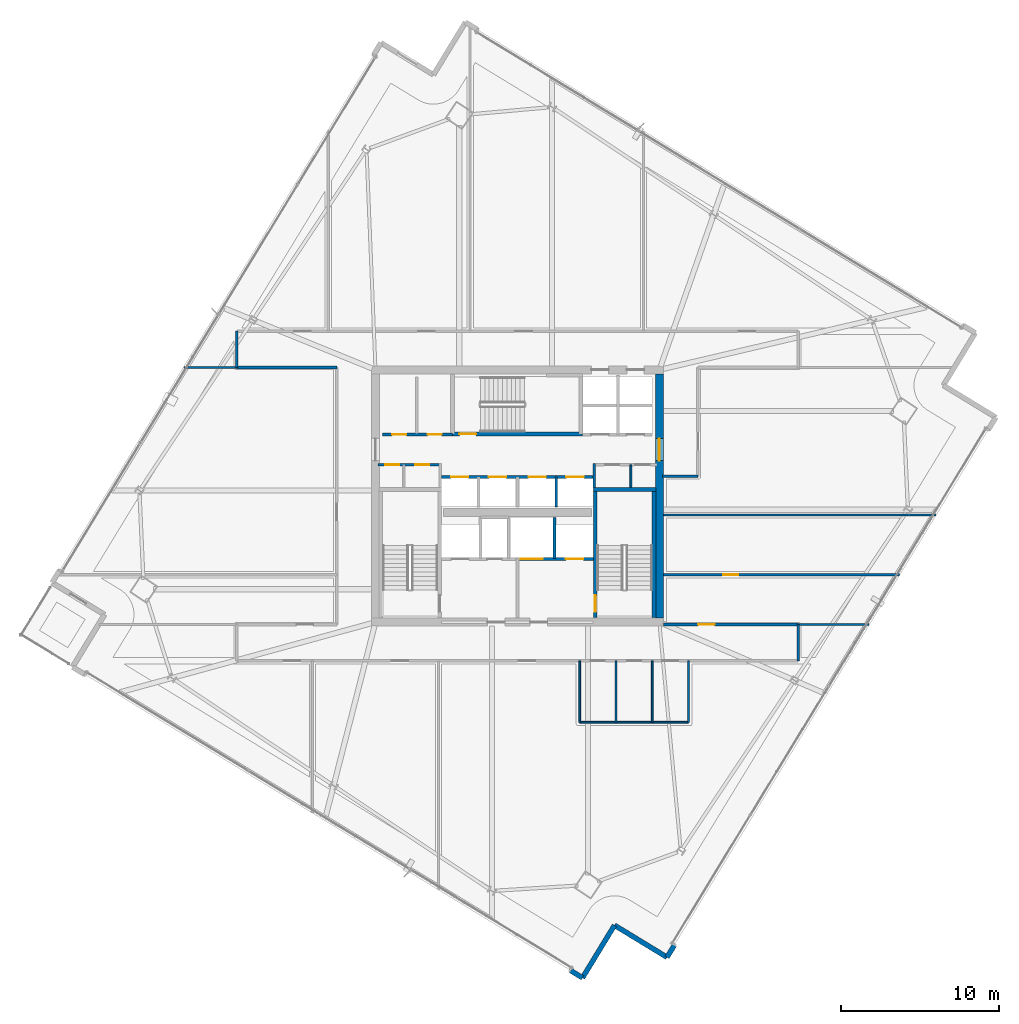
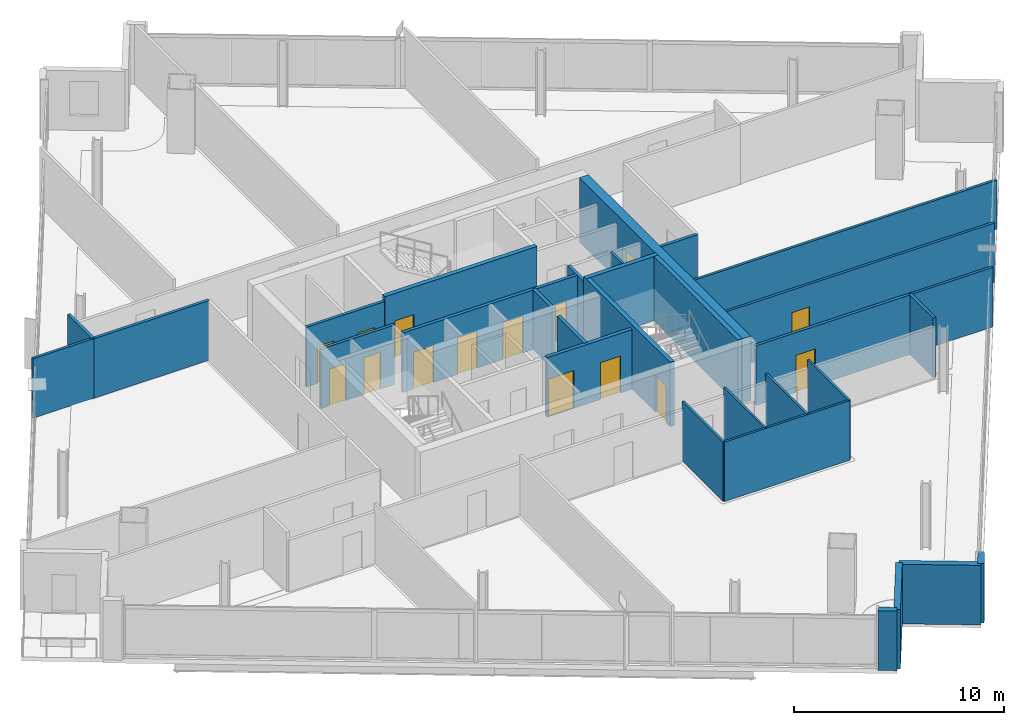
# One storey, part 22 of 28: 31 walls, 15 doors, 15 openings.
"""IFC4 building model written with IfcOpenShell, lengths in metres."""

from ifc_helpers import new_model, si_unit, direction, frame, frame_2d, origin, place, context, subcontext, project, spatial, rectangle, extrude, material, layer, layer_set, type_object, element, fill, save


model = new_model("IFC4")

# Units and contexts
model_context = context("Model", 3, precision=1e-05, world=origin(), true_north=direction((0.0, 1.0)))
body_context = subcontext(model_context, "Body", "Model", "MODEL_VIEW")
ifc_project = project(units=[si_unit("LENGTHUNIT", "METRE"), si_unit("AREAUNIT", "SQUARE_METRE"), si_unit("VOLUMEUNIT", "CUBIC_METRE"), si_unit("PLANEANGLEUNIT", "RADIAN"), si_unit("MASSUNIT", "GRAM", prefix="KILO")], contexts=[model_context])

# Site, building, storey
site_placement = place(None, origin())
site = spatial("IfcSite", under=ifc_project, at=site_placement, CompositionType="ELEMENT")
building_placement = place(site_placement, origin())
building = spatial("IfcBuilding", under=site, at=building_placement, Name="Haldenkirk Collegiate Tower", CompositionType="ELEMENT")
storey_placement = place(building_placement, frame((0.0, 0.0, 224.699951171875)))
storey = spatial("IfcBuildingStorey", under=building, at=storey_placement, Name="L56", CompositionType="ELEMENT", Elevation=224.699951171875)

# Wall, opening, door
ifc_material_1 = material(Name="Concrete f'c 55 MPa", Category="concrete")
ifc_layer_1 = layer(ifc_material_1, 0.5)
ifc_layer_set_1 = layer_set([ifc_layer_1], Name="Concrete f'c 55 MPa")
wall_type_1 = type_object("IfcWallType", Name="WL-CORE-500", PredefinedType="SHEAR", material=ifc_layer_set_1)
wall_1_placement = place(storey_placement, frame((45.0, 18.25, 0.0), z_axis=(0.0, 0.0, 1.0), x_axis=(0.0, 1.0, 0.0)))
wall_1 = element("IfcWall", 1, at=wall_1_placement, inside=storey, type_object=wall_type_1, Name="L56 central core shear wall E", PredefinedType="SHEAR", context=body_context, shape_type="SweptSolid", body=[
    extrude(rectangle(XDim=15.5, YDim=0.5, at=frame_2d((7.75, 0.0))), origin(), (0.0, 0.0, 1.0), 3.75),
])
opening_1_placement = place(wall_1_placement, frame((9.989990234375, 0.0, 0.0)))
opening_1 = element("IfcOpeningElement", 2, at=opening_1_placement, cuts=wall_1, Name="Opening D-03", PredefinedType="OPENING", context=body_context, shape_type="SweptSolid", body=[
    extrude(rectangle(XDim=1.39990234375, YDim=2.199951171875, at=frame_2d((0.699951171875, 1.10009765625))), frame((0.0, 0.260009765625, 0.0), z_axis=(0.0, -1.0, 0.0), x_axis=(1.0, 0.0, 0.0)), (0.0, 0.0, 1.0), 0.52001953125),
])
ifc_material_2 = material(Name="Galvanized fire-rated hollow steel door", Category="steel")
ifc_layer_2 = layer(ifc_material_2, 0.06005859375)
ifc_layer_set_2 = layer_set([ifc_layer_2], Name="Galvanized fire-rated hollow steel door")
door_type_1 = type_object("IfcDoorType", Name="DR-LOBBY-FD90-1400", OperationType="NOTDEFINED", PredefinedType="DOOR", material=ifc_layer_set_2)
door_1_placement = place(opening_1_placement, origin())
door_1 = element("IfcDoor", 3, at=door_1_placement, inside=storey, type_object=door_type_1, Name="L56 east lift lobby portal", OperationType="DOUBLE_DOOR_SINGLE_SWING", OverallHeight=2.199951171875, OverallWidth=1.39990234375, PredefinedType="DOOR", context=body_context, shape_type="SweptSolid", body=[
    extrude(rectangle(XDim=1.39990234375, YDim=2.199951171875, at=frame_2d((0.699951171875, 1.10009765625))), frame((0.0, 0.02490234375, 0.0), z_axis=(0.0, -1.0, 0.0), x_axis=(1.0, 0.0, 0.0)), (0.0, 0.0, 1.0), 0.050048828125),
])
fill(opening_1, door_1)

# Walls
ifc_material_3 = material(Name="Precast concrete f'c 40 MPa", Category="concrete")
ifc_layer_3 = layer(ifc_material_3, 0.320068359375)
ifc_layer_set_3 = layer_set([ifc_layer_3], Name="Precast concrete f'c 40 MPa")
wall_type_2 = type_object("IfcWallType", Name="WL-EXT-TWR-320", PredefinedType="STANDARD", material=ifc_layer_set_3)
for number, where, z_axis, x_axis, name in (
    (4, (45.95654296875, -2.489501953125, 0.0), (0.0, 0.0, 1.0), (-0.520308352915, -0.853978464534, 0.0), "L56 precast corner pier SR"),
    (5, (40.128662109375, -4.5595703125, 0.0), (0.0, 0.0, 1.0), (-0.853978464534, 0.520308352915, 0.0), "L56 precast corner pier WL"),
):
    element("IfcWall", number, at=place(storey_placement, frame(where, z_axis=z_axis, x_axis=x_axis)), inside=storey, type_object=wall_type_2, Name=name, PredefinedType="STANDARD", context=body_context, shape_type="SweptSolid", body=[
        extrude(rectangle(XDim=0.89990234375, YDim=0.320068359375, at=frame_2d((0.449951171875, 0.0))), origin(), (0.0, 0.0, 1.0), 3.469970703125),
    ])
for number, where, z_axis, x_axis, name in (
    (6, (42.15771484375, -1.22900390625, 0.0), (0.0, 0.0, 1.0), (-0.520274591032, -0.853999033914, 0.0), "L56 bronze precast notch wall 11"),
    (7, (45.48828125, -3.258056640625, 0.0), (0.0, 0.0, 1.0), (-0.853999033914, 0.520274591032, 0.0), "L56 bronze precast notch wall 12"),
):
    element("IfcWall", number, at=place(storey_placement, frame(where, z_axis=z_axis, x_axis=x_axis)), inside=storey, type_object=wall_type_2, Name=name, PredefinedType="STANDARD", context=body_context, shape_type="SweptSolid", body=[
        extrude(rectangle(XDim=3.89990234375, YDim=0.320068359375, at=frame_2d((1.949951171875, 0.0))), origin(), (0.0, 0.0, 1.0), 3.469970703125),
    ])

# Wall, openings, doors
ifc_material_4 = material(Name="Acoustic fire-rated gypsum partition", Category="concrete")
ifc_layer_4 = layer(ifc_material_4, 0.159912109375)
ifc_layer_set_4 = layer_set([ifc_layer_4], Name="Acoustic fire-rated gypsum partition")
wall_type_3 = type_object("IfcWallType", Name="WL-INT-CORR-160", PredefinedType="PARTITIONING", material=ifc_layer_set_4)
wall_2_placement = place(storey_placement, frame((27.14990234375, 27.97998046875, 0.0), z_axis=(0.0, 0.0, 1.0), x_axis=(1.0, 0.0, 0.0)))
wall_2 = element("IfcWall", 8, at=wall_2_placement, inside=storey, type_object=wall_type_3, Name="L56 interior partition IW-L56-VCSW-N", PredefinedType="PARTITIONING", context=body_context, shape_type="SweptSolid", body=[
    extrude(rectangle(XDim=4.050048828125, YDim=0.159912109375, at=frame_2d((2.02490234375, 0.0))), origin(), (0.0, 0.0, 1.0), 3.469970703125),
])
opening_2_placement = place(wall_2_placement, frame((0.469970703125, 0.0, 0.0)))
opening_2 = element("IfcOpeningElement", 9, at=opening_2_placement, cuts=wall_2, Name="Opening D-11", PredefinedType="OPENING", context=body_context, shape_type="SweptSolid", body=[
    extrude(rectangle(XDim=0.89990234375, YDim=2.14990234375, at=frame_2d((0.449951171875, 1.074951171875))), frame((0.0, 0.08984375, 0.0), z_axis=(0.0, -1.0, 0.0), x_axis=(1.0, 0.0, 0.0)), (0.0, 0.0, 1.0), 0.179931640625),
])
opening_3_placement = place(wall_2_placement, frame((2.360107421875, 0.0, 0.0)))
opening_3 = element("IfcOpeningElement", 10, at=opening_3_placement, cuts=wall_2, Name="Opening D-11", PredefinedType="OPENING", context=body_context, shape_type="SweptSolid", body=[
    extrude(rectangle(XDim=0.89990234375, YDim=2.14990234375, at=frame_2d((0.449951171875, 1.074951171875))), frame((0.0, 0.08984375, 0.0), z_axis=(0.0, -1.0, 0.0), x_axis=(1.0, 0.0, 0.0)), (0.0, 0.0, 1.0), 0.179931640625),
])
ifc_material_5 = material(Name="Solid-core architectural oak fire door", Category="wood")
ifc_layer_5 = layer(ifc_material_5, 0.06005859375)
ifc_layer_set_5 = layer_set([ifc_layer_5], Name="Solid-core architectural oak fire door")
door_type_2 = type_object("IfcDoorType", Name="DR-INT-FD60-900", OperationType="NOTDEFINED", PredefinedType="DOOR", material=ifc_layer_set_5)
door_2_placement = place(opening_2_placement, origin())
door_2 = element("IfcDoor", 11, at=door_2_placement, inside=storey, type_object=door_type_2, Name="L56 core AV closet door", OperationType="SINGLE_SWING_LEFT", OverallHeight=2.14990234375, OverallWidth=0.89990234375, PredefinedType="DOOR", context=body_context, shape_type="SweptSolid", body=[
    extrude(rectangle(XDim=0.89990234375, YDim=2.14990234375, at=frame_2d((0.449951171875, 1.074951171875))), frame((0.0, 0.02490234375, 0.0), z_axis=(0.0, -1.0, 0.0), x_axis=(1.0, 0.0, 0.0)), (0.0, 0.0, 1.0), 0.050048828125),
])
fill(opening_2, door_2)
door_3_placement = place(opening_3_placement, origin())
door_3 = element("IfcDoor", 12, at=door_3_placement, inside=storey, type_object=door_type_2, Name="L56 core supply closet door", OperationType="SINGLE_SWING_RIGHT", OverallHeight=2.14990234375, OverallWidth=0.89990234375, PredefinedType="DOOR", context=body_context, shape_type="SweptSolid", body=[
    extrude(rectangle(XDim=0.89990234375, YDim=2.14990234375, at=frame_2d((0.449951171875, 1.074951171875))), frame((0.0, 0.02490234375, 0.0), z_axis=(0.0, -1.0, 0.0), x_axis=(1.0, 0.0, 0.0)), (0.0, 0.0, 1.0), 0.050048828125),
])
fill(opening_3, door_3)

# Wall
wall_3_placement = place(storey_placement, frame((40.8798828125, 26.5400390625, 0.0), z_axis=(0.0, 0.0, 1.0), x_axis=(0.0, 1.0, 0.0)))
element("IfcWall", 13, at=wall_3_placement, inside=storey, type_object=wall_type_3, Name="L56 interior partition IW-L56-VCSE-W", PredefinedType="PARTITIONING", context=body_context, shape_type="SweptSolid", body=[
    extrude(rectangle(XDim=1.510009765625, YDim=0.159912109375, at=frame_2d((0.7548828125, 0.0))), origin(), (0.0, 0.0, 1.0), 3.469970703125),
])

# Wall, openings, doors
wall_4_placement = place(storey_placement, frame((27.449951171875, 29.89990234375, 0.0), z_axis=(0.0, 0.0, 1.0), x_axis=(1.0, 0.0, 0.0)))
wall_4 = element("IfcWall", 14, at=wall_4_placement, inside=storey, type_object=wall_type_3, Name="L56 interior partition IW-L56-PLS", PredefinedType="PARTITIONING", context=body_context, shape_type="SweptSolid", body=[
    extrude(rectangle(XDim=4.429931640625, YDim=0.159912109375, at=frame_2d((2.21484375, 0.0))), origin(), (0.0, 0.0, 1.0), 3.469970703125),
])
opening_4_placement = place(wall_4_placement, frame((0.60009765625, 0.0, 0.0)))
opening_4 = element("IfcOpeningElement", 15, at=opening_4_placement, cuts=wall_4, Name="Opening D-11", PredefinedType="OPENING", context=body_context, shape_type="SweptSolid", body=[
    extrude(rectangle(XDim=0.89990234375, YDim=2.14990234375, at=frame_2d((0.449951171875, 1.074951171875))), frame((0.0, 0.08984375, 0.0), z_axis=(0.0, -1.0, 0.0), x_axis=(1.0, 0.0, 0.0)), (0.0, 0.0, 1.0), 0.179931640625),
])
opening_5_placement = place(wall_4_placement, frame((2.85009765625, 0.0, 0.0)))
opening_5 = element("IfcOpeningElement", 16, at=opening_5_placement, cuts=wall_4, Name="Opening D-11", PredefinedType="OPENING", context=body_context, shape_type="SweptSolid", body=[
    extrude(rectangle(XDim=0.89990234375, YDim=2.14990234375, at=frame_2d((0.449951171875, 1.074951171875))), frame((0.0, 0.08984375, 0.0), z_axis=(0.0, -1.0, 0.0), x_axis=(1.0, 0.0, 0.0)), (0.0, 0.0, 1.0), 0.179931640625),
])
door_4_placement = place(opening_4_placement, origin())
door_4 = element("IfcDoor", 17, at=door_4_placement, inside=storey, type_object=door_type_2, Name="L56 tea kitchen door", OperationType="SINGLE_SWING_LEFT", OverallHeight=2.14990234375, OverallWidth=0.89990234375, PredefinedType="DOOR", context=body_context, shape_type="SweptSolid", body=[
    extrude(rectangle(XDim=0.89990234375, YDim=2.14990234375, at=frame_2d((0.449951171875, 1.074951171875))), frame((0.0, 0.02490234375, 0.0), z_axis=(0.0, -1.0, 0.0), x_axis=(1.0, 0.0, 0.0)), (0.0, 0.0, 1.0), 0.050048828125),
])
fill(opening_4, door_4)
door_5_placement = place(opening_5_placement, origin())
door_5 = element("IfcDoor", 18, at=door_5_placement, inside=storey, type_object=door_type_2, Name="L56 IT room door", OperationType="SINGLE_SWING_RIGHT", OverallHeight=2.14990234375, OverallWidth=0.89990234375, PredefinedType="DOOR", context=body_context, shape_type="SweptSolid", body=[
    extrude(rectangle(XDim=0.89990234375, YDim=2.14990234375, at=frame_2d((0.449951171875, 1.074951171875))), frame((0.0, 0.02490234375, 0.0), z_axis=(0.0, -1.0, 0.0), x_axis=(1.0, 0.0, 0.0)), (0.0, 0.0, 1.0), 0.050048828125),
])
fill(opening_5, door_5)

# Wall, opening, door
wall_5_placement = place(storey_placement, frame((45.25, 17.85009765625, 0.0), z_axis=(0.0, 0.0, 1.0), x_axis=(1.0, 0.0, 0.0)))
wall_5 = element("IfcWall", 19, at=wall_5_placement, inside=storey, type_object=wall_type_3, Name="L56 interior partition IW-L56-CSE", PredefinedType="PARTITIONING", context=body_context, shape_type="SweptSolid", body=[
    extrude(rectangle(XDim=8.550048828125, YDim=0.159912109375, at=frame_2d((4.27490234375, 0.0))), origin(), (0.0, 0.0, 1.0), 3.469970703125),
])
opening_6_placement = place(wall_5_placement, frame((2.2109375, 0.0, 0.0)))
opening_6 = element("IfcOpeningElement", 20, at=opening_6_placement, cuts=wall_5, Name="Opening D-09", PredefinedType="OPENING", context=body_context, shape_type="SweptSolid", body=[
    extrude(rectangle(XDim=1.050048828125, YDim=2.14990234375, at=frame_2d((0.52490234375, 1.074951171875))), frame((0.0, 0.08984375, 0.0), z_axis=(0.0, -1.0, 0.0), x_axis=(1.0, 0.0, 0.0)), (0.0, 0.0, 1.0), 0.179931640625),
])
ifc_layer_6 = layer(ifc_material_5, 0.06005859375)
ifc_layer_set_6 = layer_set([ifc_layer_6], Name="Solid-core architectural oak fire door")
door_type_3 = type_object("IfcDoorType", Name="DR-INT-FD60-1050", OperationType="NOTDEFINED", PredefinedType="DOOR", material=ifc_layer_set_6)
door_6_placement = place(opening_6_placement, origin())
door_6 = element("IfcDoor", 21, at=door_6_placement, inside=storey, type_object=door_type_3, Name="L56 Case Method Seminar Room 10 door", OperationType="SINGLE_SWING_LEFT", OverallHeight=2.14990234375, OverallWidth=1.050048828125, PredefinedType="DOOR", context=body_context, shape_type="SweptSolid", body=[
    extrude(rectangle(XDim=1.050048828125, YDim=2.14990234375, at=frame_2d((0.52490234375, 1.074951171875))), frame((0.0, 0.02490234375, 0.0), z_axis=(0.0, -1.0, 0.0), x_axis=(1.0, 0.0, 0.0)), (0.0, 0.0, 1.0), 0.050048828125),
])
fill(opening_6, door_6)

# Walls
wall_6_placement = place(storey_placement, frame((18.199951171875, 34.14990234375, 0.0), z_axis=(0.0, 0.0, 1.0), x_axis=(1.0, 0.0, 0.0)))
element("IfcWall", 22, at=wall_6_placement, inside=storey, type_object=wall_type_3, Name="L56 interior partition IW-L56-CNW", PredefinedType="PARTITIONING", context=body_context, shape_type="SweptSolid", body=[
    extrude(rectangle(XDim=6.35009765625, YDim=0.159912109375, at=frame_2d((3.175048828125, 0.0))), origin(), (0.0, 0.0, 1.0), 3.469970703125),
])
wall_7_placement = place(storey_placement, frame((45.199951171875, 27.25, 0.0), z_axis=(0.0, 0.0, 1.0), x_axis=(1.0, 0.0, 0.0)))
element("IfcWall", 23, at=wall_7_placement, inside=storey, type_object=wall_type_3, Name="L56 interior partition IW-L56-CES", PredefinedType="PARTITIONING", context=body_context, shape_type="SweptSolid", body=[
    extrude(rectangle(XDim=2.25, YDim=0.159912109375, at=frame_2d((1.125, 0.0))), origin(), (0.0, 0.0, 1.0), 3.469970703125),
])
for number, where, z_axis, x_axis, name in (
    (24, (53.800048828125, 15.550048828125, 0.0), (0.0, 0.0, 1.0), (0.0, 1.0, 0.0), "L56 interior partition IW-L56-CSR"),
    (25, (18.199951171875, 34.14990234375, 0.0), (0.0, 0.0, 1.0), (0.0, 1.0, 0.0), "L56 interior partition IW-L56-CNL"),
):
    element("IfcWall", number, at=place(storey_placement, frame(where, z_axis=z_axis, x_axis=x_axis)), inside=storey, type_object=wall_type_3, Name=name, PredefinedType="PARTITIONING", context=body_context, shape_type="SweptSolid", body=[
        extrude(rectangle(XDim=2.300048828125, YDim=0.159912109375, at=frame_2d((1.14990234375, 0.0))), origin(), (0.0, 0.0, 1.0), 3.469970703125),
    ])
ifc_layer_7 = layer(ifc_material_4, 0.139892578125)
ifc_layer_set_7 = layer_set([ifc_layer_7], Name="Acoustic fire-rated gypsum partition")
wall_type_4 = type_object("IfcWallType", Name="WL-INT-DIV-140", PredefinedType="PARTITIONING", material=ifc_layer_set_7)
wall_8_placement = place(storey_placement, frame((14.841064453125, 34.14990234375, 0.0), z_axis=(0.0, 0.0, 1.0), x_axis=(1.0, 0.0, 0.0)))
element("IfcWall", 26, at=wall_8_placement, inside=storey, type_object=wall_type_4, Name="L56 interior partition IW-L56-BWN", PredefinedType="PARTITIONING", context=body_context, shape_type="SweptSolid", body=[
    extrude(rectangle(XDim=3.35888671875, YDim=0.139892578125, at=frame_2d((1.679443359375, 0.0))), origin(), (0.0, 0.0, 1.0), 3.469970703125),
])
wall_9_placement = place(storey_placement, frame((53.800048828125, 17.85009765625, 0.0), z_axis=(0.0, 0.0, 1.0), x_axis=(1.0, 0.0, 0.0)))
element("IfcWall", 27, at=wall_9_placement, inside=storey, type_object=wall_type_4, Name="L56 interior partition IW-L56-BES", PredefinedType="PARTITIONING", context=body_context, shape_type="SweptSolid", body=[
    extrude(rectangle(XDim=4.500732421875, YDim=0.139892578125, at=frame_2d((2.25048828125, 0.0))), origin(), (0.0, 0.0, 1.0), 3.469970703125),
])

# Wall, opening, door
wall_10_placement = place(storey_placement, frame((45.25, 21.0, 0.0), z_axis=(0.0, 0.0, 1.0), x_axis=(1.0, 0.0, 0.0)))
wall_10 = element("IfcWall", 28, at=wall_10_placement, inside=storey, type_object=wall_type_4, Name="L56 interior partition IW-L56-RE1", PredefinedType="PARTITIONING", context=body_context, shape_type="SweptSolid", body=[
    extrude(rectangle(XDim=14.9697265625, YDim=0.139892578125, at=frame_2d((7.48486328125, 0.0))), origin(), (0.0, 0.0, 1.0), 3.469970703125),
])
opening_7_placement = place(wall_10_placement, frame((3.805908203125, 0.0, 0.0)))
opening_7 = element("IfcOpeningElement", 29, at=opening_7_placement, cuts=wall_10, Name="Opening D-12", PredefinedType="OPENING", context=body_context, shape_type="SweptSolid", body=[
    extrude(rectangle(XDim=0.949951171875, YDim=2.14990234375, at=frame_2d((0.47509765625, 1.074951171875))), frame((0.0, 0.079833984375, 0.0), z_axis=(0.0, -1.0, 0.0), x_axis=(1.0, 0.0, 0.0)), (0.0, 0.0, 1.0), 0.159912109375),
])
ifc_layer_8 = layer(ifc_material_5, 0.06005859375)
ifc_layer_set_8 = layer_set([ifc_layer_8], Name="Solid-core architectural oak fire door")
door_type_4 = type_object("IfcDoorType", Name="DR-INT-STD-950", OperationType="NOTDEFINED", PredefinedType="DOOR", material=ifc_layer_set_8)
door_7_placement = place(opening_7_placement, origin())
door_7 = element("IfcDoor", 30, at=door_7_placement, inside=storey, type_object=door_type_4, Name="L56 Breakout Conference Room 11 door", OperationType="SINGLE_SWING_RIGHT", OverallHeight=2.14990234375, OverallWidth=0.949951171875, PredefinedType="DOOR", context=body_context, shape_type="SweptSolid", body=[
    extrude(rectangle(XDim=0.949951171875, YDim=2.14990234375, at=frame_2d((0.47509765625, 1.074951171875))), frame((0.0, 0.02490234375, 0.0), z_axis=(0.0, -1.0, 0.0), x_axis=(1.0, 0.0, 0.0)), (0.0, 0.0, 1.0), 0.050048828125),
])
fill(opening_7, door_7)

# Walls
wall_11_placement = place(storey_placement, frame((45.25, 24.800048828125, 0.0), z_axis=(0.0, 0.0, 1.0), x_axis=(1.0, 0.0, 0.0)))
element("IfcWall", 31, at=wall_11_placement, inside=storey, type_object=wall_type_4, Name="L56 interior partition IW-L56-RE2", PredefinedType="PARTITIONING", context=body_context, shape_type="SweptSolid", body=[
    extrude(rectangle(XDim=17.28466796875, YDim=0.139892578125, at=frame_2d((8.642333984375, 0.0))), origin(), (0.0, 0.0, 1.0), 2.84912109375),
])
ifc_material_6 = material(Name="Fire-rated gypsum shaftboard assembly", Category="concrete")
ifc_layer_9 = layer(ifc_material_6, 0.179931640625)
ifc_layer_set_9 = layer_set([ifc_layer_9], Name="Fire-rated gypsum shaftboard assembly")
wall_type_5 = type_object("IfcWallType", Name="WL-INT-SHAFT-180", PredefinedType="PARTITIONING", material=ifc_layer_set_9)
wall_12_placement = place(storey_placement, frame((38.35009765625, 22.050048828125, 0.0), z_axis=(0.0, 0.0, 1.0), x_axis=(0.0, 1.0, 0.0)))
element("IfcWall", 32, at=wall_12_placement, inside=storey, type_object=wall_type_5, Name="L56 interior partition IW-L56-GL1E", PredefinedType="PARTITIONING", context=body_context, shape_type="SweptSolid", body=[
    extrude(rectangle(XDim=2.599853515625, YDim=0.179931640625, at=frame_2d((1.2998046875, 0.0))), origin(), (0.0, 0.0, 1.0), 3.469970703125),
])

# Wall, openings, doors
wall_13_placement = place(storey_placement, frame((31.199951171875, 27.199951171875, 0.0), z_axis=(0.0, 0.0, 1.0), x_axis=(1.0, 0.0, 0.0)))
wall_13 = element("IfcWall", 33, at=wall_13_placement, inside=storey, type_object=wall_type_5, Name="L56 interior partition IW-L56-PHN", PredefinedType="PARTITIONING", context=body_context, shape_type="SweptSolid", body=[
    extrude(rectangle(XDim=9.60009765625, YDim=0.179931640625, at=frame_2d((4.800048828125, 0.0))), origin(), (0.0, 0.0, 1.0), 3.469970703125),
])
opening_8_placement = place(wall_13_placement, frame((0.590087890625, 0.0, 0.0)))
opening_8 = element("IfcOpeningElement", 34, at=opening_8_placement, cuts=wall_13, Name="Opening LD-11", PredefinedType="OPENING", context=body_context, shape_type="SweptSolid", body=[
    extrude(rectangle(XDim=1.10009765625, YDim=2.14990234375, at=frame_2d((0.550048828125, 1.074951171875))), frame((0.0, 0.099853515625, 0.0), z_axis=(0.0, -1.0, 0.0), x_axis=(1.0, 0.0, 0.0)), (0.0, 0.0, 1.0), 0.199951171875),
])
opening_9_placement = place(wall_13_placement, frame((2.989990234375, 0.0, 0.0)))
opening_9 = element("IfcOpeningElement", 35, at=opening_9_placement, cuts=wall_13, Name="Opening LD-11", PredefinedType="OPENING", context=body_context, shape_type="SweptSolid", body=[
    extrude(rectangle(XDim=1.10009765625, YDim=2.14990234375, at=frame_2d((0.550048828125, 1.074951171875))), frame((0.0, 0.099853515625, 0.0), z_axis=(0.0, -1.0, 0.0), x_axis=(1.0, 0.0, 0.0)), (0.0, 0.0, 1.0), 0.199951171875),
])
opening_10_placement = place(wall_13_placement, frame((5.510009765625, 0.0, 0.0)))
opening_10 = element("IfcOpeningElement", 36, at=opening_10_placement, cuts=wall_13, Name="Opening LD-11", PredefinedType="OPENING", context=body_context, shape_type="SweptSolid", body=[
    extrude(rectangle(XDim=1.10009765625, YDim=2.14990234375, at=frame_2d((0.550048828125, 1.074951171875))), frame((0.0, 0.099853515625, 0.0), z_axis=(0.0, -1.0, 0.0), x_axis=(1.0, 0.0, 0.0)), (0.0, 0.0, 1.0), 0.199951171875),
])
opening_11_placement = place(wall_13_placement, frame((7.909912109375, 0.0, 0.0)))
opening_11 = element("IfcOpeningElement", 37, at=opening_11_placement, cuts=wall_13, Name="Opening LD-11", PredefinedType="OPENING", context=body_context, shape_type="SweptSolid", body=[
    extrude(rectangle(XDim=1.10009765625, YDim=2.14990234375, at=frame_2d((0.550048828125, 1.074951171875))), frame((0.0, 0.099853515625, 0.0), z_axis=(0.0, -1.0, 0.0), x_axis=(1.0, 0.0, 0.0)), (0.0, 0.0, 1.0), 0.199951171875),
])
ifc_material_7 = material(Name="Brushed architectural stainless steel", Category="steel")
ifc_layer_10 = layer(ifc_material_7, 0.06005859375)
ifc_layer_set_10 = layer_set([ifc_layer_10], Name="Brushed architectural stainless steel")
door_type_5 = type_object("IfcDoorType", Name="LD-PASS-1100", OperationType="NOTDEFINED", PredefinedType="DOOR", material=ifc_layer_set_10)
door_8_placement = place(opening_8_placement, origin())
door_8 = element("IfcDoor", 38, at=door_8_placement, inside=storey, type_object=door_type_5, Name="L56 Elevator PH1 sliding landing door", OperationType="SLIDING_TO_LEFT", OverallHeight=2.14990234375, OverallWidth=1.10009765625, PredefinedType="DOOR", context=body_context, shape_type="SweptSolid", body=[
    extrude(rectangle(XDim=1.10009765625, YDim=2.14990234375, at=frame_2d((0.550048828125, 1.074951171875))), frame((0.0, 0.02490234375, 0.0), z_axis=(0.0, -1.0, 0.0), x_axis=(1.0, 0.0, 0.0)), (0.0, 0.0, 1.0), 0.050048828125),
])
fill(opening_8, door_8)
door_9_placement = place(opening_9_placement, origin())
door_9 = element("IfcDoor", 39, at=door_9_placement, inside=storey, type_object=door_type_5, Name="L56 Elevator PH2 sliding landing door", OperationType="SLIDING_TO_LEFT", OverallHeight=2.14990234375, OverallWidth=1.10009765625, PredefinedType="DOOR", context=body_context, shape_type="SweptSolid", body=[
    extrude(rectangle(XDim=1.10009765625, YDim=2.14990234375, at=frame_2d((0.550048828125, 1.074951171875))), frame((0.0, 0.02490234375, 0.0), z_axis=(0.0, -1.0, 0.0), x_axis=(1.0, 0.0, 0.0)), (0.0, 0.0, 1.0), 0.050048828125),
])
fill(opening_9, door_9)
door_10_placement = place(opening_10_placement, origin())
door_10 = element("IfcDoor", 40, at=door_10_placement, inside=storey, type_object=door_type_5, Name="L56 Elevator PH3 sliding landing door", OperationType="SLIDING_TO_LEFT", OverallHeight=2.14990234375, OverallWidth=1.10009765625, PredefinedType="DOOR", context=body_context, shape_type="SweptSolid", body=[
    extrude(rectangle(XDim=1.10009765625, YDim=2.14990234375, at=frame_2d((0.550048828125, 1.074951171875))), frame((0.0, 0.02490234375, 0.0), z_axis=(0.0, -1.0, 0.0), x_axis=(1.0, 0.0, 0.0)), (0.0, 0.0, 1.0), 0.050048828125),
])
fill(opening_10, door_10)
door_11_placement = place(opening_11_placement, origin())
door_11 = element("IfcDoor", 41, at=door_11_placement, inside=storey, type_object=door_type_5, Name="L56 Elevator PH4 sliding landing door", OperationType="SLIDING_TO_LEFT", OverallHeight=2.14990234375, OverallWidth=1.10009765625, PredefinedType="DOOR", context=body_context, shape_type="SweptSolid", body=[
    extrude(rectangle(XDim=1.10009765625, YDim=2.14990234375, at=frame_2d((0.550048828125, 1.074951171875))), frame((0.0, 0.02490234375, 0.0), z_axis=(0.0, -1.0, 0.0), x_axis=(1.0, 0.0, 0.0)), (0.0, 0.0, 1.0), 0.050048828125),
])
fill(opening_11, door_11)

# Wall
wall_14_placement = place(storey_placement, frame((38.4599609375, 25.300048828125, 0.0), z_axis=(0.0, 0.0, 1.0), x_axis=(0.0, 1.0, 0.0)))
element("IfcWall", 42, at=wall_14_placement, inside=storey, type_object=wall_type_5, Name="L56 interior partition IW-L56-PHV3", PredefinedType="PARTITIONING", context=body_context, shape_type="SweptSolid", body=[
    extrude(rectangle(XDim=1.89990234375, YDim=0.179931640625, at=frame_2d((0.949951171875, 0.0))), origin(), (0.0, 0.0, 1.0), 3.469970703125),
])

# Wall, openings, doors
ifc_layer_11 = layer(ifc_material_6, 0.199951171875)
ifc_layer_set_11 = layer_set([ifc_layer_11], Name="Fire-rated gypsum shaftboard assembly")
wall_type_6 = type_object("IfcWallType", Name="WL-INT-SHAFT-200", PredefinedType="PARTITIONING", material=ifc_layer_set_11)
wall_15_placement = place(storey_placement, frame((36.1201171875, 22.0, 0.0), z_axis=(0.0, 0.0, 1.0), x_axis=(1.0, 0.0, 0.0)))
wall_15 = element("IfcWall", 43, at=wall_15_placement, inside=storey, type_object=wall_type_6, Name="L56 interior partition IW-L56-FFL2N", PredefinedType="PARTITIONING", context=body_context, shape_type="SweptSolid", body=[
    extrude(rectangle(XDim=4.68994140625, YDim=0.199951171875, at=frame_2d((2.344970703125, 0.0))), origin(), (0.0, 0.0, 1.0), 3.469970703125),
])
opening_12_placement = place(wall_15_placement, frame((2.955078125, 0.0, 0.0)))
opening_12 = element("IfcOpeningElement", 44, at=opening_12_placement, cuts=wall_15, Name="Opening LD-12", PredefinedType="OPENING", context=body_context, shape_type="SweptSolid", body=[
    extrude(rectangle(XDim=1.10009765625, YDim=2.14990234375, at=frame_2d((0.550048828125, 1.074951171875))), frame((0.0, 0.10986328125, 0.0), z_axis=(0.0, -1.0, 0.0), x_axis=(1.0, 0.0, 0.0)), (0.0, 0.0, 1.0), 0.219970703125),
])
opening_13_placement = place(wall_15_placement, frame((0.080078125, 0.0, 0.0)))
opening_13 = element("IfcOpeningElement", 45, at=opening_13_placement, cuts=wall_15, Name="Opening LD-13", PredefinedType="OPENING", context=body_context, shape_type="SweptSolid", body=[
    extrude(rectangle(XDim=1.39990234375, YDim=2.199951171875, at=frame_2d((0.699951171875, 1.10009765625))), frame((0.0, 0.10986328125, 0.0), z_axis=(0.0, -1.0, 0.0), x_axis=(1.0, 0.0, 0.0)), (0.0, 0.0, 1.0), 0.219970703125),
])
ifc_layer_12 = layer(ifc_material_7, 0.06005859375)
ifc_layer_set_12 = layer_set([ifc_layer_12], Name="Brushed architectural stainless steel")
door_type_6 = type_object("IfcDoorType", Name="LD-FIRE-1100", OperationType="NOTDEFINED", PredefinedType="DOOR", material=ifc_layer_set_12)
door_12_placement = place(opening_12_placement, origin())
door_12 = element("IfcDoor", 46, at=door_12_placement, inside=storey, type_object=door_type_6, Name="L56 Elevator FL2 sliding landing door", OperationType="SLIDING_TO_LEFT", OverallHeight=2.14990234375, OverallWidth=1.10009765625, PredefinedType="DOOR", context=body_context, shape_type="SweptSolid", body=[
    extrude(rectangle(XDim=1.10009765625, YDim=2.14990234375, at=frame_2d((0.550048828125, 1.074951171875))), frame((0.0, 0.02490234375, 0.0), z_axis=(0.0, -1.0, 0.0), x_axis=(1.0, 0.0, 0.0)), (0.0, 0.0, 1.0), 0.050048828125),
])
fill(opening_12, door_12)
ifc_layer_13 = layer(ifc_material_7, 0.06005859375)
ifc_layer_set_13 = layer_set([ifc_layer_13], Name="Brushed architectural stainless steel")
door_type_7 = type_object("IfcDoorType", Name="LD-GOODS-1400", OperationType="NOTDEFINED", PredefinedType="DOOR", material=ifc_layer_set_13)
door_13_placement = place(opening_13_placement, origin())
door_13 = element("IfcDoor", 47, at=door_13_placement, inside=storey, type_object=door_type_7, Name="L56 Elevator GL1 sliding landing door", OperationType="SLIDING_TO_LEFT", OverallHeight=2.199951171875, OverallWidth=1.39990234375, PredefinedType="DOOR", context=body_context, shape_type="SweptSolid", body=[
    extrude(rectangle(XDim=1.39990234375, YDim=2.199951171875, at=frame_2d((0.699951171875, 1.10009765625))), frame((0.0, 0.02490234375, 0.0), z_axis=(0.0, -1.0, 0.0), x_axis=(1.0, 0.0, 0.0)), (0.0, 0.0, 1.0), 0.050048828125),
])
fill(opening_13, door_13)

# Walls
ifc_layer_14 = layer(ifc_material_4, 0.1201171875)
ifc_layer_set_14 = layer_set([ifc_layer_14], Name="Acoustic fire-rated gypsum partition")
wall_type_7 = type_object("IfcWallType", Name="WL-INT-WET-120", PredefinedType="PARTITIONING", material=ifc_layer_set_14)
wall_16_placement = place(storey_placement, frame((43.199951171875, 26.5400390625, 0.0), z_axis=(0.0, 0.0, 1.0), x_axis=(0.0, 1.0, 0.0)))
element("IfcWall", 48, at=wall_16_placement, inside=storey, type_object=wall_type_7, Name="L56 interior partition IW-L56-VCSE-M", PredefinedType="PARTITIONING", context=body_context, shape_type="SweptSolid", body=[
    extrude(rectangle(XDim=1.43994140625, YDim=0.1201171875, at=frame_2d((0.719970703125, 0.0))), origin(), (0.0, 0.0, 1.0), 3.469970703125),
])
for number, where, z_axis, x_axis, name in (
    (49, (39.949951171875, 11.64990234375, 0.0), (0.0, 0.0, 1.0), (0.0, 1.0, 0.0), "L56 interior partition IW-L56-WCW"),
    (50, (42.25, 11.64990234375, 0.0), (0.0, 0.0, 1.0), (0.0, 1.0, 0.0), "L56 interior partition IW-L56-WC1"),
    (51, (44.550048828125, 11.64990234375, 0.0), (0.0, 0.0, 1.0), (0.0, 1.0, 0.0), "L56 interior partition IW-L56-WC2"),
    (52, (46.85009765625, 11.64990234375, 0.0), (0.0, 0.0, 1.0), (0.0, 1.0, 0.0), "L56 interior partition IW-L56-WCE"),
):
    element("IfcWall", number, at=place(storey_placement, frame(where, z_axis=z_axis, x_axis=x_axis)), inside=storey, type_object=wall_type_7, Name=name, PredefinedType="PARTITIONING", context=body_context, shape_type="SweptSolid", body=[
        extrude(rectangle(XDim=3.900146484375, YDim=0.1201171875, at=frame_2d((1.9501953125, 0.0))), origin(), (0.0, 0.0, 1.0), 3.469970703125),
    ])
wall_17_placement = place(storey_placement, frame((39.949951171875, 11.64990234375, 0.0), z_axis=(0.0, 0.0, 1.0), x_axis=(1.0, 0.0, 0.0)))
element("IfcWall", 53, at=wall_17_placement, inside=storey, type_object=wall_type_7, Name="L56 interior partition IW-L56-WCB", PredefinedType="PARTITIONING", context=body_context, shape_type="SweptSolid", body=[
    extrude(rectangle(XDim=6.900146484375, YDim=0.1201171875, at=frame_2d((3.4501953125, 0.0))), origin(), (0.0, 0.0, 1.0), 3.469970703125),
])

# Wall, opening, door
ifc_layer_15 = layer(ifc_material_1, 0.239990234375)
ifc_layer_set_15 = layer_set([ifc_layer_15], Name="Concrete f'c 55 MPa")
wall_type_8 = type_object("IfcWallType", Name="WL-SHAFT-240", PredefinedType="SHEAR", material=ifc_layer_set_15)
wall_18_placement = place(storey_placement, frame((40.929931640625, 18.280029296875, 0.0), z_axis=(0.0, 0.0, 1.0), x_axis=(0.0, 1.0, 0.0)))
wall_18 = element("IfcWall", 54, at=wall_18_placement, inside=storey, type_object=wall_type_8, Name="L56 stair shaft shear wall SW-L56-ST2W", PredefinedType="SHEAR", context=body_context, shape_type="SweptSolid", body=[
    extrude(rectangle(XDim=8.260009765625, YDim=0.239990234375, at=frame_2d((4.1298828125, 0.0))), origin(), (0.0, 0.0, 1.0), 3.75),
])
opening_14_placement = place(wall_18_placement, frame((0.364990234375, 0.0, 0.0)))
opening_14 = element("IfcOpeningElement", 55, at=opening_14_placement, cuts=wall_18, Name="Opening D-01", PredefinedType="OPENING", context=body_context, shape_type="SweptSolid", body=[
    extrude(rectangle(XDim=1.050048828125, YDim=2.14990234375, at=frame_2d((0.52490234375, 1.074951171875))), frame((0.0, 0.1298828125, 0.0), z_axis=(0.0, -1.0, 0.0), x_axis=(1.0, 0.0, 0.0)), (0.0, 0.0, 1.0), 0.260009765625),
])
ifc_layer_16 = layer(ifc_material_2, 0.06005859375)
ifc_layer_set_16 = layer_set([ifc_layer_16], Name="Galvanized fire-rated hollow steel door")
door_type_8 = type_object("IfcDoorType", Name="DR-STAIR-FD90-1050", OperationType="NOTDEFINED", PredefinedType="DOOR", material=ifc_layer_set_16)
door_14_placement = place(opening_14_placement, origin())
door_14 = element("IfcDoor", 56, at=door_14_placement, inside=storey, type_object=door_type_8, Name="L56 Stair 2 door", OperationType="SINGLE_SWING_RIGHT", OverallHeight=2.14990234375, OverallWidth=1.050048828125, PredefinedType="DOOR", context=body_context, shape_type="SweptSolid", body=[
    extrude(rectangle(XDim=1.050048828125, YDim=2.14990234375, at=frame_2d((0.52490234375, 1.074951171875))), frame((0.0, 0.02490234375, 0.0), z_axis=(0.0, -1.0, 0.0), x_axis=(1.0, 0.0, 0.0)), (0.0, 0.0, 1.0), 0.050048828125),
])
fill(opening_14, door_14)

# Walls
wall_19_placement = place(storey_placement, frame((40.81005859375, 26.419921875, 0.0), z_axis=(0.0, 0.0, 1.0), x_axis=(1.0, 0.0, 0.0)))
element("IfcWall", 57, at=wall_19_placement, inside=storey, type_object=wall_type_8, Name="L56 stair shaft shear wall SW-L56-ST2N", PredefinedType="SHEAR", context=body_context, shape_type="SweptSolid", body=[
    extrude(rectangle(XDim=3.97998046875, YDim=0.239990234375, at=frame_2d((1.989990234375, 0.0))), origin(), (0.0, 0.0, 1.0), 3.75),
])
wall_20_placement = place(storey_placement, frame((44.669921875, 18.280029296875, 0.0), z_axis=(0.0, 0.0, 1.0), x_axis=(0.0, 1.0, 0.0)))
element("IfcWall", 58, at=wall_20_placement, inside=storey, type_object=wall_type_8, Name="L56 stair shaft shear wall SW-L56-ST2E", PredefinedType="SHEAR", context=body_context, shape_type="SweptSolid", body=[
    extrude(rectangle(XDim=8.260009765625, YDim=0.239990234375, at=frame_2d((4.1298828125, 0.0))), origin(), (0.0, 0.0, 1.0), 3.75),
])

# Wall, opening, door
wall_21_placement = place(storey_placement, frame((31.760009765625, 29.929931640625, 0.0), z_axis=(0.0, 0.0, 1.0), x_axis=(1.0, 0.0, 0.0)))
wall_21 = element("IfcWall", 59, at=wall_21_placement, inside=storey, type_object=wall_type_8, Name="L56 stair shaft shear wall SW-L56-ST3S", PredefinedType="SHEAR", context=body_context, shape_type="SweptSolid", body=[
    extrude(rectangle(XDim=8.3798828125, YDim=0.239990234375, at=frame_2d((4.18994140625, 0.0))), origin(), (0.0, 0.0, 1.0), 3.75),
])
opening_15_placement = place(wall_21_placement, frame((0.56494140625, 0.0, 0.0)))
opening_15 = element("IfcOpeningElement", 60, at=opening_15_placement, cuts=wall_21, Name="Opening D-01", PredefinedType="OPENING", context=body_context, shape_type="SweptSolid", body=[
    extrude(rectangle(XDim=1.050048828125, YDim=2.14990234375, at=frame_2d((0.52490234375, 1.074951171875))), frame((0.0, 0.1298828125, 0.0), z_axis=(0.0, -1.0, 0.0), x_axis=(1.0, 0.0, 0.0)), (0.0, 0.0, 1.0), 0.260009765625),
])
door_15_placement = place(opening_15_placement, origin())
door_15 = element("IfcDoor", 61, at=door_15_placement, inside=storey, type_object=door_type_8, Name="L56 lift lobby Stair 3 door", OperationType="SINGLE_SWING_LEFT", OverallHeight=2.14990234375, OverallWidth=1.050048828125, PredefinedType="DOOR", context=body_context, shape_type="SweptSolid", body=[
    extrude(rectangle(XDim=1.050048828125, YDim=2.14990234375, at=frame_2d((0.52490234375, 1.074951171875))), frame((0.0, 0.02490234375, 0.0), z_axis=(0.0, -1.0, 0.0), x_axis=(1.0, 0.0, 0.0)), (0.0, 0.0, 1.0), 0.050048828125),
])
fill(opening_15, door_15)

save(model, "model.ifc")
